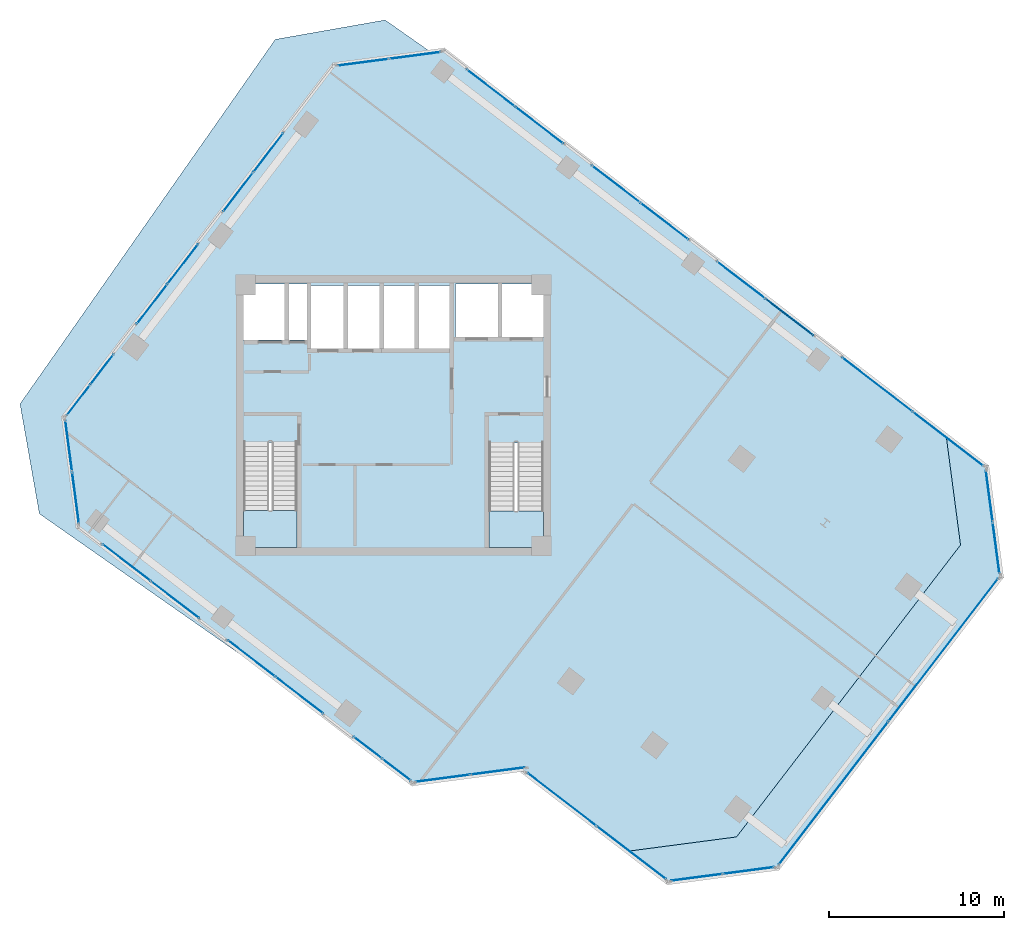
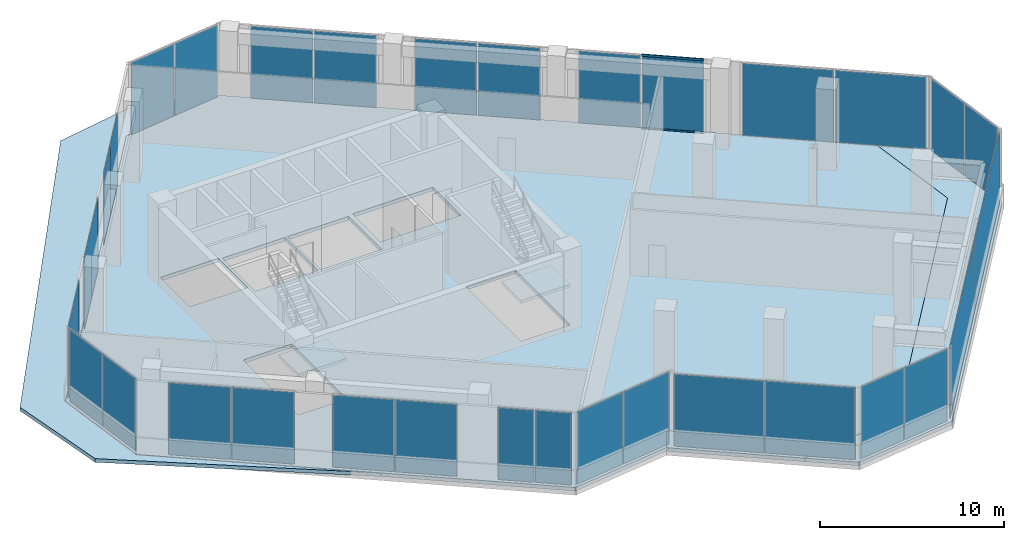
# One storey, part 17 of 23: 34 plates, 5 slabs, 2 members, 19 elements without a shape of their own.
"""IFC4 building model written with IfcOpenShell, lengths in metres."""

import ifcopenshell
import ifcopenshell.guid

model = None  # the IFC model being written
_history = None  # IfcOwnerHistory: only IFC2X3 demands one
_inside = {}  # id of a spatial element -> (the spatial element, [elements in it])
_under = {}  # id of a project, library or spatial element -> (it, [spatial elements below it])
_declared = {}  # id of a project -> (the project, [libraries it declares])
_typed = {}  # id of a type object -> (the type object, [elements of that type])
_made_of = {}  # id of a material, layer set ... -> (it, [elements and type objects made of it])


def new_model(schema):
    """Start an empty IFC model of exactly this schema.

    Asked for "IFC4X3", IfcOpenShell would pick the latest addendum, in which some entities
    have other attributes; the version numbers below select the first issue.
    IFC2X3 requires an IfcOwnerHistory on every rooted entity: one is made here for all.
    """
    global model, _history
    if schema == "IFC4X3":
        model = ifcopenshell.file(schema_version=(4, 3, 0, 0))
    else:
        model = ifcopenshell.file(schema=schema)
    _inside.clear()
    _under.clear()
    _declared.clear()
    _typed.clear()
    _made_of.clear()
    _history = None
    if model.schema == "IFC2X3":
        org = make("IfcOrganization", Name="unknown")
        user = make(
            "IfcPersonAndOrganization",
            ThePerson=make("IfcPerson", FamilyName="unknown"),
            TheOrganization=org,
        )
        app = make(
            "IfcApplication",
            ApplicationDeveloper=org,
            Version="unknown",
            ApplicationFullName="unknown",
            ApplicationIdentifier="unknown",
        )
        _history = make(
            "IfcOwnerHistory",
            OwningUser=user,
            OwningApplication=app,
            ChangeAction="ADDED",
            CreationDate=0,
        )
    return model


def make(cls, **values):
    """One entity of the class cls with the attributes given. An attribute that is None is left unset."""
    return model.create_entity(
        cls, **{name: value for name, value in values.items() if value is not None}
    )


def rooted(cls, **values):
    """An entity with a GlobalId (a new one), such as an element, a storey or a relation."""
    return make(cls, GlobalId=ifcopenshell.guid.new(), OwnerHistory=_history, **values)


def si_unit(unit_type, name, prefix=None):
    """IfcSIUnit, for example si_unit("LENGTHUNIT", "METRE", prefix="MILLI")."""
    return make("IfcSIUnit", UnitType=unit_type, Prefix=prefix, Name=name)


def assignment(units):
    """IfcUnitAssignment: the units of a project."""
    return None if units is None else make("IfcUnitAssignment", Units=units)


def point(xyz):
    """IfcCartesianPoint."""
    return None if xyz is None else make("IfcCartesianPoint", Coordinates=xyz)


def direction(xyz):
    """IfcDirection."""
    return None if xyz is None else make("IfcDirection", DirectionRatios=xyz)


def frame(location, z_axis=None, x_axis=None):
    """IfcAxis2Placement3D, a coordinate frame: its origin and axes. An axis left out is left unset."""
    return make(
        "IfcAxis2Placement3D",
        Location=point(location),
        Axis=direction(z_axis),
        RefDirection=direction(x_axis),
    )


def frame_2d(location, x_axis=None):
    """IfcAxis2Placement2D, a coordinate frame in the plane: its origin and x axis."""
    return make(
        "IfcAxis2Placement2D", Location=point(location), RefDirection=direction(x_axis)
    )


def origin():
    """The frame at (0, 0, 0) with its axes left unset."""
    return frame((0.0, 0.0, 0.0))


def origin_2d():
    """The frame at (0, 0) in the plane with its x axis left unset."""
    return frame_2d((0.0, 0.0))


def place(relative_to, where):
    """IfcLocalPlacement: puts the frame where relative to a parent placement (None: the world)."""
    return make(
        "IfcLocalPlacement", PlacementRelTo=relative_to, RelativePlacement=where
    )


def context(
    kind, dimensions, precision=None, world=None, true_north=None, identifier=None
):
    """IfcGeometricRepresentationContext, for example the 3D "Model" context."""
    return make(
        "IfcGeometricRepresentationContext",
        ContextIdentifier=identifier,
        ContextType=kind,
        CoordinateSpaceDimension=dimensions,
        Precision=precision,
        WorldCoordinateSystem=world,
        TrueNorth=true_north,
    )


def subcontext(parent, identifier, kind, view, scale=None):
    """IfcGeometricRepresentationSubContext, for example "Body" below "Model"."""
    return make(
        "IfcGeometricRepresentationSubContext",
        ContextIdentifier=identifier,
        ContextType=kind,
        ParentContext=parent,
        TargetScale=scale,
        TargetView=view,
    )


def project(units=None, contexts=None):
    """IfcProject with its units and contexts."""
    return rooted(
        "IfcProject",
        Name="project",
        RepresentationContexts=contexts,
        UnitsInContext=assignment(units),
    )


def spatial(cls, under=None, at=None, **own):
    """A site, building, storey or space (cls), placed at a placement, below another one or the project."""
    s = rooted(cls, ObjectPlacement=at, **own)
    if under is not None:
        _under.setdefault(under.id(), (under, []))[1].append(s)
    return s


def polyline(points):
    """IfcPolyline through the points."""
    return make("IfcPolyline", Points=[point(p) for p in points])


def profile(cls, at=None, kind="AREA", **sizes):
    """A parametric profile (cls). Its sizes go by their IFC names, for example OverallWidth=200.0."""
    return make(cls, ProfileType=kind, Position=at, **sizes)


def rectangle(**sizes):
    """IfcRectangleProfileDef."""
    return profile("IfcRectangleProfileDef", **sizes)


def hollow_rectangle(**sizes):
    """IfcRectangleHollowProfileDef."""
    return profile("IfcRectangleHollowProfileDef", **sizes)


def outline(outer, holes=None, kind="AREA"):
    """IfcArbitraryClosedProfileDef: a profile drawn as a closed curve; with holes, ...WithVoids."""
    if holes is None:
        return make("IfcArbitraryClosedProfileDef", ProfileType=kind, OuterCurve=outer)
    return make(
        "IfcArbitraryProfileDefWithVoids",
        ProfileType=kind,
        OuterCurve=outer,
        InnerCurves=holes,
    )


def extrude(swept, where, along, depth):
    """IfcExtrudedAreaSolid: the profile swept, set in the frame where, extruded along a direction by depth."""
    return make(
        "IfcExtrudedAreaSolid",
        SweptArea=swept,
        Position=where,
        ExtrudedDirection=direction(along),
        Depth=depth,
    )


def shape(context_of_items, identifier, shape_type, items):
    """IfcShapeRepresentation: the items that make up one representation, for example the "Body"."""
    return make(
        "IfcShapeRepresentation",
        ContextOfItems=context_of_items,
        RepresentationIdentifier=identifier,
        RepresentationType=shape_type,
        Items=items,
    )


def source(mapping_origin, context_of_items, identifier, shape_type, items):
    """IfcRepresentationMap: a shape defined once, which mapped items show again and again."""
    return make(
        "IfcRepresentationMap",
        MappingOrigin=mapping_origin,
        MappedRepresentation=shape(context_of_items, identifier, shape_type, items),
    )


def transform(
    local_origin,
    x_axis=None,
    y_axis=None,
    z_axis=None,
    scale=None,
    scale2=None,
    scale3=None,
    uniform=True,
):
    """IfcCartesianTransformationOperator3D, or its non-uniform kind. x_axis, y_axis, z_axis: its Axis1, 2, 3."""
    if uniform:
        return make(
            "IfcCartesianTransformationOperator3D",
            Axis1=direction(x_axis),
            Axis2=direction(y_axis),
            LocalOrigin=point(local_origin),
            Scale=scale,
            Axis3=direction(z_axis),
        )
    return make(
        "IfcCartesianTransformationOperator3DnonUniform",
        Axis1=direction(x_axis),
        Axis2=direction(y_axis),
        LocalOrigin=point(local_origin),
        Scale=scale,
        Axis3=direction(z_axis),
        Scale2=scale2,
        Scale3=scale3,
    )


def mapped(mapping_source, mapping_target):
    """IfcMappedItem: shows the shape of a source again, moved by a transform."""
    return make(
        "IfcMappedItem", MappingSource=mapping_source, MappingTarget=mapping_target
    )


def material(Name=None, Category=None):
    """IfcMaterial."""
    return make("IfcMaterial", Name=Name, Category=Category)


def layer(
    of_material, thickness, ventilated=None, Name=None, Category=None, Priority=None
):
    """IfcMaterialLayer: one layer of a wall or slab, of a material (None: an air gap)."""
    return make(
        "IfcMaterialLayer",
        Material=of_material,
        LayerThickness=thickness,
        IsVentilated=ventilated,
        Name=Name,
        Category=Category,
        Priority=Priority,
    )


def layer_set(layers, Name=None):
    """IfcMaterialLayerSet."""
    return make("IfcMaterialLayerSet", MaterialLayers=layers, LayerSetName=Name)


def material_profile(
    of_material, cross_section, Name=None, Category=None, Priority=None
):
    """IfcMaterialProfile: a cross section and its material."""
    return make(
        "IfcMaterialProfile",
        Name=Name,
        Material=of_material,
        Profile=cross_section,
        Priority=Priority,
        Category=Category,
    )


def profile_set(profiles, Name=None, composite=None):
    """IfcMaterialProfileSet."""
    return make(
        "IfcMaterialProfileSet",
        Name=Name,
        MaterialProfiles=profiles,
        CompositeProfile=composite,
    )


def made_of(thing, what):
    """Note that an element or type object is made of a material, layer set ...; save() writes the relation."""
    if what is not None:
        _made_of.setdefault(what.id(), (what, []))[1].append(thing)
    return thing


def type_object(cls, material=None, **own):
    """A type object (cls), such as IfcWallType, which elements share."""
    return made_of(rooted(cls, **own), material)


def element(
    cls,
    number,
    at=None,
    inside=None,
    cuts=None,
    type_object=None,
    material=None,
    context=None,
    identifier="Body",
    shape_type=None,
    held_by="IfcProductDefinitionShape",
    body=None,
    shapes=None,
    **own,
):
    """One element of the class cls, such as IfcWall. Its Tag is "e" and its number.

    at: its placement. inside: the storey or other place that contains it. cuts: it is an
    opening in that element (IfcRelVoidsElement). A single representation is given by context,
    identifier, shape_type and body (its items); several are given by shapes. held_by: the class
    of the entity that holds the representations. save() writes the other relations.
    """
    e = rooted(cls, Tag="e%d" % number, ObjectPlacement=at, **own)
    if body is not None:
        shapes = [shape(context, identifier, shape_type, body)]
    if shapes is not None:
        e.Representation = make(held_by, Representations=shapes)
    if inside is not None:
        _inside.setdefault(inside.id(), (inside, []))[1].append(e)
    if cuts is not None:
        rooted(
            "IfcRelVoidsElement", RelatingBuildingElement=cuts, RelatedOpeningElement=e
        )
    if type_object is not None:
        _typed.setdefault(type_object.id(), (type_object, []))[1].append(e)
    return made_of(e, material)


def aggregate(whole, parts):
    """IfcRelAggregates: a whole, such as a stair, and the parts it consists of."""
    return rooted("IfcRelAggregates", RelatingObject=whole, RelatedObjects=parts)


def save(model, path):
    """Write the relations noted so far, then the file.

    IfcRelAggregates (storeys below a building ...), IfcRelContainedInSpatialStructure (elements
    in a storey), IfcRelDefinesByType, IfcRelAssociatesMaterial and IfcRelDeclares: one each for
    every whole, place, type object, material and project.
    """
    for whole, parts in _under.values():
        aggregate(whole, parts)
    for where, things in _inside.values():
        rooted(
            "IfcRelContainedInSpatialStructure",
            RelatedElements=things,
            RelatingStructure=where,
        )
    for kind, things in _typed.values():
        rooted("IfcRelDefinesByType", RelatedObjects=things, RelatingType=kind)
    for what, things in _made_of.values():
        rooted("IfcRelAssociatesMaterial", RelatedObjects=things, RelatingMaterial=what)
    for by, libraries in _declared.values():
        rooted("IfcRelDeclares", RelatingContext=by, RelatedDefinitions=libraries)
    model.write(path)


model = new_model("IFC4")

# Units and contexts
model_context = context("Model", 3, precision=1e-05, world=origin(), true_north=direction((0.0, 1.0)))
body_context = subcontext(model_context, "Body", "Model", "MODEL_VIEW")
ifc_project = project(units=[si_unit("LENGTHUNIT", "METRE"), si_unit("AREAUNIT", "SQUARE_METRE"), si_unit("VOLUMEUNIT", "CUBIC_METRE"), si_unit("PLANEANGLEUNIT", "RADIAN"), si_unit("MASSUNIT", "GRAM", prefix="KILO")], contexts=[model_context])

# Site, building, storey
site_placement = place(None, origin())
site = spatial("IfcSite", under=ifc_project, at=site_placement, CompositionType="ELEMENT")
building_placement = place(site_placement, origin())
building = spatial("IfcBuilding", under=site, at=building_placement, Name="Torre Montelarca", CompositionType="ELEMENT")
storey_placement = place(building_placement, frame((0.0, 0.0, 204.39990234375)))
storey = spatial("IfcBuildingStorey", under=building, at=storey_placement, Name="L46", CompositionType="ELEMENT", Elevation=204.39990234375)

# Curtain wall, members
ifc_material_1 = material(Name="Insulated low-E laminated glass", Category="glass")
curtain_wall_type = type_object("IfcCurtainWallType", Name="CW-SYS-Z2", PredefinedType="USERDEFINED", material=ifc_material_1)
curtain_wall_1_placement = place(storey_placement, origin())
curtain_wall_1 = element("IfcCurtainWall", 1, at=curtain_wall_1_placement, inside=storey, type_object=curtain_wall_type, Name="L46 Curtain Wall Run CW-T3-L46-E08-B2", ObjectType="UNITISED GLAZING", PredefinedType="USERDEFINED")
ifc_material_2 = material(Name="Anodised aluminium AA 6063-T6", Category="aluminium")
ifc_material_profile = material_profile(ifc_material_2, hollow_rectangle(XDim=0.06494140625, YDim=0.139892578125, WallThickness=0.00390625, InnerFilletRadius=0.00390625, OuterFilletRadius=0.008056640625, at=origin_2d()), Name="ALU65X140X4", Category="aluminium")
ifc_profile_set = profile_set([ifc_material_profile], Name="Anodised aluminium AA 6063-T6")
member_type = type_object("IfcMemberType", Name="CWT-ALU140", PredefinedType="USERDEFINED", material=ifc_profile_set)
shared_shape_1 = source(origin(), body_context, "Body", "SweptSolid", [
    extrude(hollow_rectangle(XDim=0.06494140625, YDim=0.139892578125, WallThickness=0.00390625, InnerFilletRadius=0.00390625, OuterFilletRadius=0.008056640625, at=origin_2d()), origin(), (0.0, 0.0, 1.0), 3.42236328125),
])
member_1_placement = place(storey_placement, frame((41.957275390625, 36.558349609375, 0.03271484375), z_axis=(-0.793334164547, 0.60878641851, 0.0), x_axis=(-0.60878641851, -0.793334164547, 0.0)))
member_1 = element("IfcMember", 2, at=member_1_placement, type_object=member_type, Name="CW transom 1.1", ObjectType="TRANSOM", PredefinedType="USERDEFINED", context=body_context, shape_type="MappedRepresentation", body=[
    mapped(shared_shape_1, transform((0.0, 0.0, 0.0), scale=1.0)),
])
member_2_placement = place(storey_placement, frame((41.957275390625, 36.558349609375, 4.8876953125), z_axis=(-0.793334164547, 0.60878641851, 0.0), x_axis=(-0.60878641851, -0.793334164547, 0.0)))
member_2 = element("IfcMember", 3, at=member_2_placement, type_object=member_type, Name="CW transom 1.2", ObjectType="TRANSOM", PredefinedType="USERDEFINED", context=body_context, shape_type="MappedRepresentation", body=[
    mapped(shared_shape_1, transform((0.0, 0.0, 0.0), scale=1.0)),
])

# Slabs
ifc_material_3 = material(Name="Concrete C40/50", Category="concrete")
ifc_layer_1 = layer(ifc_material_3, 0.239990234375, Name="Concrete C40/50", Category="concrete")
ifc_layer_set_1 = layer_set([ifc_layer_1], Name="Concrete C40/50")
slab_type_1 = type_object("IfcSlabType", Name="SL-FLR-240", PredefinedType="FLOOR", material=ifc_layer_set_1)
slab_1_placement = place(storey_placement, frame((0.0, 0.0, -0.239990234375)))
element("IfcSlab", 4, at=slab_1_placement, inside=storey, type_object=slab_type_1, Name="L46 Structural Floor Slab", PredefinedType="FLOOR", context=body_context, shape_type="SweptSolid", body=[
    extrude(outline(polyline([(19.068115234375, 10.925537109375), (25.377685546875, 11.756103515625), (25.316650390625, 11.6767578125), (31.266845703125, 7.111083984375), (37.576416015625, 7.94189453125), (50.3603515625, 24.602294921875), (49.52978515625, 30.91162109375), (20.8896484375, 52.887939453125), (14.580078125, 52.057373046875), (-0.88232421875, 31.906005859375), (-0.0517578125, 25.5966796875), (19.068115234375, 10.925537109375)]), holes=[polyline([(26.550048828125, 24.449951171875), (23.43994140625, 24.449951171875), (23.43994140625, 30.429931640625), (26.550048828125, 30.429931640625), (26.550048828125, 24.449951171875)]), polyline([(9.449951171875, 24.449951171875), (9.449951171875, 30.4599609375), (12.5, 30.4599609375), (12.5, 24.449951171875), (9.449951171875, 24.449951171875)]), polyline([(17.25, 35.800048828125), (13.300048828125, 35.800048828125), (13.300048828125, 39.39990234375), (17.25, 39.39990234375), (17.25, 35.800048828125)]), polyline([(21.25, 39.39990234375), (21.25, 35.800048828125), (17.39990234375, 35.800048828125), (17.39990234375, 39.39990234375), (21.25, 39.39990234375)]), polyline([(13.1201171875, 36.300048828125), (9.449951171875, 36.300048828125), (9.449951171875, 39.5), (13.1201171875, 39.5), (13.1201171875, 36.300048828125)]), polyline([(26.60009765625, 36.449951171875), (21.550048828125, 36.449951171875), (21.550048828125, 39.5), (26.60009765625, 39.5), (26.60009765625, 36.449951171875)])]), origin(), (0.0, 0.0, 1.0), 0.239990234375),
])
slab_2_placement = place(storey_placement, frame((0.0, 0.0, -0.239990234375)))
element("IfcSlab", 5, at=slab_2_placement, inside=storey, type_object=slab_type_1, Name="L46 Sliding Tray Winter Garden Floor Slab E1", PredefinedType="FLOOR", context=body_context, shape_type="SweptSolid", body=[
    extrude(outline(polyline([(49.52978515625, 30.91162109375), (50.3603515625, 24.602294921875), (37.576416015625, 7.94189453125), (31.266845703125, 7.111083984375), (33.64697265625, 5.284912109375), (39.95654296875, 6.115478515625), (52.740478515625, 22.77587890625), (51.909912109375, 29.08544921875), (49.52978515625, 30.91162109375)])), origin(), (0.0, 0.0, 1.0), 0.239990234375),
])
ifc_material_4 = material(Name="Architectural concrete C40/50", Category="concrete")
ifc_layer_2 = layer(ifc_material_4, 0.239990234375, Name="Architectural concrete C40/50", Category="concrete")
ifc_layer_set_2 = layer_set([ifc_layer_2], Name="Architectural concrete C40/50")
slab_type_2 = type_object("IfcSlabType", Name="SL-ROOF-EXT-240", PredefinedType="ROOF", material=ifc_layer_set_2)
slab_3_placement = place(storey_placement, frame((0.0, 0.0, -0.239990234375)))
element("IfcSlab", 6, at=slab_3_placement, inside=storey, type_object=slab_type_2, Name="L45 Setback and Tray Overhang Roof Cap Slab 01", PredefinedType="ROOF", context=body_context, shape_type="SweptSolid", body=[
    extrude(outline(polyline([(-0.05908203125, 25.59228515625), (-0.890869140625, 31.908203125), (14.575927734375, 52.064697265625), (20.0576171875, 52.78662109375), (17.521728515625, 54.562255859375), (11.25439453125, 53.45703125), (-3.314453125, 32.650634765625), (-2.20947265625, 26.38330078125), (10.5859375, 17.424072265625), (-0.05908203125, 25.59228515625)])), origin(), (0.0, 0.0, 1.0), 0.239990234375),
])

# Stair, slab
stair_type_1 = type_object("IfcStairType", Name="ST-CORE-ST1", PredefinedType="HALF_TURN_STAIR", material=ifc_material_3)
stair_1_placement = place(storey_placement, origin())
stair_1 = element("IfcStair", 7, at=stair_1_placement, inside=storey, type_object=stair_type_1, Name="L46 Protected Exit Stair ST1", PredefinedType="HALF_TURN_STAIR")
ifc_layer_3 = layer(ifc_material_3, 0.199951171875, Name="Concrete C40/50", Category="concrete")
ifc_layer_set_3 = layer_set([ifc_layer_3], Name="Concrete C40/50")
slab_type_3 = type_object("IfcSlabType", Name="SL-ST-LAND-ST1", PredefinedType="LANDING", material=ifc_layer_set_3)
slab_4_placement = place(storey_placement, frame((0.0, 0.0, 2.5)))
slab_4 = element("IfcSlab", 8, at=slab_4_placement, type_object=slab_type_3, Name="ST1 landing 1", PredefinedType="LANDING", context=body_context, shape_type="SweptSolid", body=[
    extrude(outline(polyline([(9.449951171875, 26.580078125), (9.449951171875, 24.449951171875), (12.5, 24.449951171875), (12.5, 26.580078125), (9.449951171875, 26.580078125)])), origin(), (0.0, 0.0, 1.0), 0.2001953125),
])
aggregate(stair_1, [slab_4])

stair_type_2 = type_object("IfcStairType", Name="ST-CORE-ST2", PredefinedType="HALF_TURN_STAIR", material=ifc_material_3)
stair_2_placement = place(storey_placement, origin())
stair_2 = element("IfcStair", 9, at=stair_2_placement, inside=storey, type_object=stair_type_2, Name="L46 Protected Exit Stair ST2", PredefinedType="HALF_TURN_STAIR")
ifc_layer_4 = layer(ifc_material_3, 0.199951171875, Name="Concrete C40/50", Category="concrete")
ifc_layer_set_4 = layer_set([ifc_layer_4], Name="Concrete C40/50")
slab_type_4 = type_object("IfcSlabType", Name="SL-ST-LAND-ST2", PredefinedType="LANDING", material=ifc_layer_set_4)
slab_5_placement = place(storey_placement, frame((0.0, 0.0, 2.5)))
slab_5 = element("IfcSlab", 10, at=slab_5_placement, type_object=slab_type_4, Name="ST2 landing 1", PredefinedType="LANDING", context=body_context, shape_type="SweptSolid", body=[
    extrude(outline(polyline([(23.43994140625, 26.550048828125), (23.43994140625, 24.449951171875), (26.550048828125, 24.449951171875), (26.550048828125, 26.550048828125), (23.43994140625, 26.550048828125)])), origin(), (0.0, 0.0, 1.0), 0.2001953125),
])
aggregate(stair_2, [slab_5])

# Curtain wall, plates
curtain_wall_2_placement = place(storey_placement, origin())
curtain_wall_2 = element("IfcCurtainWall", 11, at=curtain_wall_2_placement, inside=storey, type_object=curtain_wall_type, Name="L46 Curtain Wall Run CW-T3-L46-E05-B1", ObjectType="UNITISED GLAZING", PredefinedType="USERDEFINED")
ifc_layer_5 = layer(ifc_material_1, 0.031982421875, Name="Insulated low-E laminated glass", Category="glass")
ifc_layer_set_5 = layer_set([ifc_layer_5], Name="Insulated low-E laminated glass")
plate_type = type_object("IfcPlateType", Name="CWP-GLZ-32", PredefinedType="CURTAIN_PANEL", material=ifc_layer_set_5)
shared_shape_2 = source(origin(), body_context, "Body", "SweptSolid", [
    extrude(rectangle(XDim=2.918701171875, YDim=0.031982421875, at=origin_2d()), origin(), (0.0, 0.0, 1.0), 4.7900390625),
])
plate_1_placement = place(storey_placement, frame((35.3056640625, 5.63427734375, 0.065185546875), z_axis=(0.0, 0.0, 1.0), x_axis=(0.991446733158, 0.130511973823, 0.0)))
plate_1 = element("IfcPlate", 12, at=plate_1_placement, type_object=plate_type, Name="CW panel 1.1", PredefinedType="CURTAIN_PANEL", context=body_context, shape_type="MappedRepresentation", body=[
    mapped(shared_shape_2, transform((0.0, 0.0, 0.0), scale=1.0)),
])
plate_2_placement = place(storey_placement, frame((38.263671875, 6.023681640625, 0.065185546875), z_axis=(0.0, 0.0, 1.0), x_axis=(0.991446733158, 0.130511973823, 0.0)))
plate_2 = element("IfcPlate", 13, at=plate_2_placement, type_object=plate_type, Name="CW panel 2.1", PredefinedType="CURTAIN_PANEL", context=body_context, shape_type="MappedRepresentation", body=[
    mapped(shared_shape_2, transform((0.0, 0.0, 0.0), scale=1.0)),
])
aggregate(curtain_wall_2, [plate_1, plate_2])

curtain_wall_3_placement = place(storey_placement, origin())
curtain_wall_3 = element("IfcCurtainWall", 14, at=curtain_wall_3_placement, inside=storey, type_object=curtain_wall_type, Name="L46 Curtain Wall Run CW-T3-L46-E07-B1", ObjectType="UNITISED GLAZING", PredefinedType="USERDEFINED")
plate_3_placement = place(storey_placement, frame((52.390869140625, 24.4345703125, 0.065185546875), z_axis=(0.0, 0.0, 1.0), x_axis=(-0.130514118862, 0.991446450787, 0.0)))
plate_3 = element("IfcPlate", 15, at=plate_3_placement, type_object=plate_type, Name="CW panel 1.1", PredefinedType="CURTAIN_PANEL", context=body_context, shape_type="MappedRepresentation", body=[
    mapped(shared_shape_2, transform((0.0, 0.0, 0.0), scale=1.0)),
])
plate_4_placement = place(storey_placement, frame((52.00146484375, 27.392822265625, 0.065185546875), z_axis=(0.0, 0.0, 1.0), x_axis=(-0.130514118862, 0.991446450787, 0.0)))
plate_4 = element("IfcPlate", 16, at=plate_4_placement, type_object=plate_type, Name="CW panel 2.1", PredefinedType="CURTAIN_PANEL", context=body_context, shape_type="MappedRepresentation", body=[
    mapped(shared_shape_2, transform((0.0, 0.0, 0.0), scale=1.0)),
])
aggregate(curtain_wall_3, [plate_3, plate_4])

curtain_wall_4_placement = place(storey_placement, origin())
curtain_wall_4 = element("IfcCurtainWall", 17, at=curtain_wall_4_placement, inside=storey, type_object=curtain_wall_type, Name="L46 Curtain Wall Run CW-T3-L46-E09-B1", ObjectType="UNITISED GLAZING", PredefinedType="USERDEFINED")
plate_5_placement = place(storey_placement, frame((19.23095703125, 52.53857421875, 0.065185546875), z_axis=(0.0, 0.0, 1.0), x_axis=(-0.991446450787, -0.130514118862, 0.0)))
plate_5 = element("IfcPlate", 18, at=plate_5_placement, type_object=plate_type, Name="CW panel 1.1", PredefinedType="CURTAIN_PANEL", context=body_context, shape_type="MappedRepresentation", body=[
    mapped(shared_shape_2, transform((0.0, 0.0, 0.0), scale=1.0)),
])
plate_6_placement = place(storey_placement, frame((16.27294921875, 52.14892578125, 0.065185546875), z_axis=(0.0, 0.0, 1.0), x_axis=(-0.991446450787, -0.130514118862, 0.0)))
plate_6 = element("IfcPlate", 19, at=plate_6_placement, type_object=plate_type, Name="CW panel 2.1", PredefinedType="CURTAIN_PANEL", context=body_context, shape_type="MappedRepresentation", body=[
    mapped(shared_shape_2, transform((0.0, 0.0, 0.0), scale=1.0)),
])
aggregate(curtain_wall_4, [plate_5, plate_6])

curtain_wall_5_placement = place(storey_placement, origin())
curtain_wall_5 = element("IfcCurtainWall", 20, at=curtain_wall_5_placement, inside=storey, type_object=curtain_wall_type, Name="L46 Curtain Wall Run CW-T3-L46-E11-B1", ObjectType="UNITISED GLAZING", PredefinedType="USERDEFINED")
plate_7_placement = place(storey_placement, frame((-0.532958984375, 30.247314453125, 0.065185546875), z_axis=(0.0, 0.0, 1.0), x_axis=(0.130514118862, -0.991446450787, 0.0)))
plate_7 = element("IfcPlate", 21, at=plate_7_placement, type_object=plate_type, Name="CW panel 1.1", PredefinedType="CURTAIN_PANEL", context=body_context, shape_type="MappedRepresentation", body=[
    mapped(shared_shape_2, transform((0.0, 0.0, 0.0), scale=1.0)),
])
plate_8_placement = place(storey_placement, frame((-0.1435546875, 27.289306640625, 0.065185546875), z_axis=(0.0, 0.0, 1.0), x_axis=(0.130514118862, -0.991446450787, 0.0)))
plate_8 = element("IfcPlate", 22, at=plate_8_placement, type_object=plate_type, Name="CW panel 2.1", PredefinedType="CURTAIN_PANEL", context=body_context, shape_type="MappedRepresentation", body=[
    mapped(shared_shape_2, transform((0.0, 0.0, 0.0), scale=1.0)),
])
aggregate(curtain_wall_5, [plate_7, plate_8])

curtain_wall_6_placement = place(storey_placement, origin())
curtain_wall_6 = element("IfcCurtainWall", 23, at=curtain_wall_6_placement, inside=storey, type_object=curtain_wall_type, Name="L46 Curtain Wall Run CW-T3-L46-E10-B2", ObjectType="UNITISED GLAZING", PredefinedType="USERDEFINED")
shared_shape_3 = source(origin(), body_context, "Body", "SweptSolid", [
    extrude(rectangle(XDim=2.81005859375, YDim=0.031982421875, at=origin_2d()), origin(), (0.0, 0.0, 1.0), 4.7900390625),
])
plate_9_placement = place(storey_placement, frame((5.97802734375, 40.63330078125, 0.065185546875), z_axis=(0.0, 0.0, 1.0), x_axis=(-0.608771214471, -0.793345831546, 0.0)))
plate_9 = element("IfcPlate", 24, at=plate_9_placement, type_object=plate_type, Name="CW panel 1.1", PredefinedType="CURTAIN_PANEL", context=body_context, shape_type="MappedRepresentation", body=[
    mapped(shared_shape_3, transform((0.0, 0.0, 0.0), scale=1.0)),
])
plate_10_placement = place(storey_placement, frame((4.227783203125, 38.352294921875, 0.065185546875), z_axis=(0.0, 0.0, 1.0), x_axis=(-0.608771214471, -0.793345831546, 0.0)))
plate_10 = element("IfcPlate", 25, at=plate_10_placement, type_object=plate_type, Name="CW panel 2.1", PredefinedType="CURTAIN_PANEL", context=body_context, shape_type="MappedRepresentation", body=[
    mapped(shared_shape_3, transform((0.0, 0.0, 0.0), scale=1.0)),
])
aggregate(curtain_wall_6, [plate_9, plate_10])

curtain_wall_7_placement = place(storey_placement, origin())
curtain_wall_7 = element("IfcCurtainWall", 26, at=curtain_wall_7_placement, inside=storey, type_object=curtain_wall_type, Name="L46 Curtain Wall Run CW-T3-L46-E01-B1", ObjectType="UNITISED GLAZING", PredefinedType="USERDEFINED")
shared_shape_4 = source(origin(), body_context, "Body", "SweptSolid", [
    extrude(rectangle(XDim=3.422607421875, YDim=0.031982421875, at=origin_2d()), origin(), (0.0, 0.0, 1.0), 4.7900390625),
])
plate_11_placement = place(storey_placement, frame((2.76953125, 23.595703125, 0.065185546875), z_axis=(0.0, 0.0, 1.0), x_axis=(0.793351604181, -0.608763691545, 0.0)))
plate_11 = element("IfcPlate", 27, at=plate_11_placement, type_object=plate_type, Name="CW panel 1.1", PredefinedType="CURTAIN_PANEL", context=body_context, shape_type="MappedRepresentation", body=[
    mapped(shared_shape_4, transform((0.0, 0.0, 0.0), scale=1.0)),
])
plate_12_placement = place(storey_placement, frame((5.536376953125, 21.47265625, 0.065185546875), z_axis=(0.0, 0.0, 1.0), x_axis=(0.793351604181, -0.608763691545, 0.0)))
plate_12 = element("IfcPlate", 28, at=plate_12_placement, type_object=plate_type, Name="CW panel 2.1", PredefinedType="CURTAIN_PANEL", context=body_context, shape_type="MappedRepresentation", body=[
    mapped(shared_shape_4, transform((0.0, 0.0, 0.0), scale=1.0)),
])
aggregate(curtain_wall_7, [plate_11, plate_12])

curtain_wall_8_placement = place(storey_placement, origin())
curtain_wall_8 = element("IfcCurtainWall", 29, at=curtain_wall_8_placement, inside=storey, type_object=curtain_wall_type, Name="L46 Curtain Wall Run CW-T3-L46-E08-B3", ObjectType="UNITISED GLAZING", PredefinedType="USERDEFINED")
plate_13_placement = place(storey_placement, frame((33.45947265625, 43.078857421875, 0.065185546875), z_axis=(0.0, 0.0, 1.0), x_axis=(-0.793356868199, 0.608756831323, 0.0)))
plate_13 = element("IfcPlate", 30, at=plate_13_placement, type_object=plate_type, Name="CW panel 1.1", PredefinedType="CURTAIN_PANEL", context=body_context, shape_type="MappedRepresentation", body=[
    mapped(shared_shape_4, transform((0.0, 0.0, 0.0), scale=1.0)),
])
plate_14_placement = place(storey_placement, frame((30.692626953125, 45.201904296875, 0.065185546875), z_axis=(0.0, 0.0, 1.0), x_axis=(-0.793356868199, 0.608756831323, 0.0)))
plate_14 = element("IfcPlate", 31, at=plate_14_placement, type_object=plate_type, Name="CW panel 2.1", PredefinedType="CURTAIN_PANEL", context=body_context, shape_type="MappedRepresentation", body=[
    mapped(shared_shape_4, transform((0.0, 0.0, 0.0), scale=1.0)),
])
aggregate(curtain_wall_8, [plate_13, plate_14])

curtain_wall_9_placement = place(storey_placement, origin())
curtain_wall_9 = element("IfcCurtainWall", 32, at=curtain_wall_9_placement, inside=storey, type_object=curtain_wall_type, Name="L46 Curtain Wall Run CW-T3-L46-E08-B4", ObjectType="UNITISED GLAZING", PredefinedType="USERDEFINED")
plate_15_placement = place(storey_placement, frame((26.3193359375, 48.557861328125, 0.065185546875), z_axis=(0.0, 0.0, 1.0), x_axis=(-0.793351604181, 0.608763691545, 0.0)))
plate_15 = element("IfcPlate", 33, at=plate_15_placement, type_object=plate_type, Name="CW panel 1.1", PredefinedType="CURTAIN_PANEL", context=body_context, shape_type="MappedRepresentation", body=[
    mapped(shared_shape_4, transform((0.0, 0.0, 0.0), scale=1.0)),
])
plate_16_placement = place(storey_placement, frame((23.552490234375, 50.680908203125, 0.065185546875), z_axis=(0.0, 0.0, 1.0), x_axis=(-0.793351604181, 0.608763691545, 0.0)))
plate_16 = element("IfcPlate", 34, at=plate_16_placement, type_object=plate_type, Name="CW panel 2.1", PredefinedType="CURTAIN_PANEL", context=body_context, shape_type="MappedRepresentation", body=[
    mapped(shared_shape_4, transform((0.0, 0.0, 0.0), scale=1.0)),
])
aggregate(curtain_wall_9, [plate_15, plate_16])

curtain_wall_10_placement = place(storey_placement, origin())
curtain_wall_10 = element("IfcCurtainWall", 35, at=curtain_wall_10_placement, inside=storey, type_object=curtain_wall_type, Name="L46 Curtain Wall Run CW-T3-L46-E01-B2", ObjectType="UNITISED GLAZING", PredefinedType="USERDEFINED")
shared_shape_5 = source(origin(), body_context, "Body", "SweptSolid", [
    extrude(rectangle(XDim=3.385009765625, YDim=0.031982421875, at=origin_2d()), origin(), (0.0, 0.0, 1.0), 4.7900390625),
])
plate_17_placement = place(storey_placement, frame((9.894775390625, 18.12841796875, 0.065185546875), z_axis=(0.0, 0.0, 1.0), x_axis=(0.793349318742, -0.608766669958, 0.0)))
plate_17 = element("IfcPlate", 36, at=plate_17_placement, type_object=plate_type, Name="CW panel 1.1", PredefinedType="CURTAIN_PANEL", context=body_context, shape_type="MappedRepresentation", body=[
    mapped(shared_shape_5, transform((0.0, 0.0, 0.0), scale=1.0)),
])
plate_18_placement = place(storey_placement, frame((12.6318359375, 16.028076171875, 0.065185546875), z_axis=(0.0, 0.0, 1.0), x_axis=(0.793349318742, -0.608766669958, 0.0)))
plate_18 = element("IfcPlate", 37, at=plate_18_placement, type_object=plate_type, Name="CW panel 2.1", PredefinedType="CURTAIN_PANEL", context=body_context, shape_type="MappedRepresentation", body=[
    mapped(shared_shape_5, transform((0.0, 0.0, 0.0), scale=1.0)),
])
aggregate(curtain_wall_10, [plate_17, plate_18])

curtain_wall_11_placement = place(storey_placement, origin())
curtain_wall_11 = element("IfcCurtainWall", 38, at=curtain_wall_11_placement, inside=storey, type_object=curtain_wall_type, Name="L46 Curtain Wall Run CW-T3-L46-E01-B3", ObjectType="UNITISED GLAZING", PredefinedType="USERDEFINED")
shared_shape_6 = source(origin(), body_context, "Body", "SweptSolid", [
    extrude(rectangle(XDim=1.9921875, YDim=0.031982421875, at=origin_2d()), origin(), (0.0, 0.0, 1.0), 4.7900390625),
])
plate_19_placement = place(storey_placement, frame((16.5419921875, 13.02783203125, 0.065185546875), z_axis=(0.0, 0.0, 1.0), x_axis=(0.793359044633, -0.608753994894, 0.0)))
plate_19 = element("IfcPlate", 39, at=plate_19_placement, type_object=plate_type, Name="CW panel 1.1", PredefinedType="CURTAIN_PANEL", context=body_context, shape_type="MappedRepresentation", body=[
    mapped(shared_shape_6, transform((0.0, 0.0, 0.0), scale=1.0)),
])
plate_20_placement = place(storey_placement, frame((18.173828125, 11.775634765625, 0.065185546875), z_axis=(0.0, 0.0, 1.0), x_axis=(0.793359044633, -0.608753994894, 0.0)))
plate_20 = element("IfcPlate", 40, at=plate_20_placement, type_object=plate_type, Name="CW panel 2.1", PredefinedType="CURTAIN_PANEL", context=body_context, shape_type="MappedRepresentation", body=[
    mapped(shared_shape_6, transform((0.0, 0.0, 0.0), scale=1.0)),
])
aggregate(curtain_wall_11, [plate_19, plate_20])

curtain_wall_12_placement = place(storey_placement, origin())
curtain_wall_12 = element("IfcCurtainWall", 41, at=curtain_wall_12_placement, inside=storey, type_object=curtain_wall_type, Name="L46 Curtain Wall Run CW-T3-L46-E02-B1", ObjectType="UNITISED GLAZING", PredefinedType="USERDEFINED")
shared_shape_7 = source(origin(), body_context, "Body", "SweptSolid", [
    extrude(rectangle(XDim=3.1025390625, YDim=0.031982421875, at=origin_2d()), origin(), (0.0, 0.0, 1.0), 4.7900390625),
])
plate_21_placement = place(storey_placement, frame((20.81787109375, 11.287109375, 0.065185546875), z_axis=(0.0, 0.0, 1.0), x_axis=(0.991448923469, 0.130495333836, 0.0)))
plate_21 = element("IfcPlate", 42, at=plate_21_placement, type_object=plate_type, Name="CW panel 1.1", PredefinedType="CURTAIN_PANEL", context=body_context, shape_type="MappedRepresentation", body=[
    mapped(shared_shape_7, transform((0.0, 0.0, 0.0), scale=1.0)),
])
plate_22_placement = place(storey_placement, frame((23.95849609375, 11.700439453125, 0.065185546875), z_axis=(0.0, 0.0, 1.0), x_axis=(0.991448923469, 0.130495333836, 0.0)))
plate_22 = element("IfcPlate", 43, at=plate_22_placement, type_object=plate_type, Name="CW panel 2.1", PredefinedType="CURTAIN_PANEL", context=body_context, shape_type="MappedRepresentation", body=[
    mapped(shared_shape_7, transform((0.0, 0.0, 0.0), scale=1.0)),
])
aggregate(curtain_wall_12, [plate_21, plate_22])

curtain_wall_13_placement = place(storey_placement, origin())
curtain_wall_13 = element("IfcCurtainWall", 44, at=curtain_wall_13_placement, inside=storey, type_object=curtain_wall_type, Name="L46 Curtain Wall Run CW-T3-L46-E04-B1", ObjectType="UNITISED GLAZING", PredefinedType="USERDEFINED")
shared_shape_8 = source(origin(), body_context, "Body", "SweptSolid", [
    extrude(rectangle(XDim=4.948486328125, YDim=0.031982421875, at=origin_2d()), origin(), (0.0, 0.0, 1.0), 4.7900390625),
])
plate_23_placement = place(storey_placement, frame((27.602294921875, 10.086669921875, 0.065185546875), z_axis=(0.0, 0.0, 1.0), x_axis=(0.793356067767, -0.608757874476, 0.0)))
plate_23 = element("IfcPlate", 45, at=plate_23_placement, type_object=plate_type, Name="CW panel 1.1", PredefinedType="CURTAIN_PANEL", context=body_context, shape_type="MappedRepresentation", body=[
    mapped(shared_shape_8, transform((0.0, 0.0, 0.0), scale=1.0)),
])
plate_24_placement = place(storey_placement, frame((31.579833984375, 7.03466796875, 0.065185546875), z_axis=(0.0, 0.0, 1.0), x_axis=(0.793356067767, -0.608757874476, 0.0)))
plate_24 = element("IfcPlate", 46, at=plate_24_placement, type_object=plate_type, Name="CW panel 2.1", PredefinedType="CURTAIN_PANEL", context=body_context, shape_type="MappedRepresentation", body=[
    mapped(shared_shape_8, transform((0.0, 0.0, 0.0), scale=1.0)),
])
aggregate(curtain_wall_13, [plate_23, plate_24])

curtain_wall_14_placement = place(storey_placement, origin())
curtain_wall_14 = element("IfcCurtainWall", 47, at=curtain_wall_14_placement, inside=storey, type_object=curtain_wall_type, Name="L46 Curtain Wall Run CW-T3-L46-E06-B1", ObjectType="UNITISED GLAZING", PredefinedType="USERDEFINED")
shared_shape_9 = source(origin(), body_context, "Body", "SweptSolid", [
    extrude(rectangle(XDim=10.236572265625, YDim=0.031982421875, at=origin_2d()), origin(), (0.0, 0.0, 1.0), 4.7900390625),
])
plate_25_placement = place(storey_placement, frame((43.109619140625, 10.4384765625, 0.065185546875), z_axis=(0.0, 0.0, 1.0), x_axis=(0.608761708572, 0.793353125775, 0.0)))
plate_25 = element("IfcPlate", 48, at=plate_25_placement, type_object=plate_type, Name="CW panel 1.1", PredefinedType="CURTAIN_PANEL", context=body_context, shape_type="MappedRepresentation", body=[
    mapped(shared_shape_9, transform((0.0, 0.0, 0.0), scale=1.0)),
])
plate_26_placement = place(storey_placement, frame((49.381103515625, 18.611328125, 0.065185546875), z_axis=(0.0, 0.0, 1.0), x_axis=(0.608761708572, 0.793353125775, 0.0)))
plate_26 = element("IfcPlate", 49, at=plate_26_placement, type_object=plate_type, Name="CW panel 2.1", PredefinedType="CURTAIN_PANEL", context=body_context, shape_type="MappedRepresentation", body=[
    mapped(shared_shape_9, transform((0.0, 0.0, 0.0), scale=1.0)),
])
aggregate(curtain_wall_14, [plate_25, plate_26])

curtain_wall_15_placement = place(storey_placement, origin())
curtain_wall_15 = element("IfcCurtainWall", 50, at=curtain_wall_15_placement, inside=storey, type_object=curtain_wall_type, Name="L46 Curtain Wall Run CW-T3-L46-E08-B1", ObjectType="UNITISED GLAZING", PredefinedType="USERDEFINED")
shared_shape_10 = source(origin(), body_context, "Body", "SweptSolid", [
    extrude(rectangle(XDim=5.029541015625, YDim=0.031982421875, at=origin_2d()), origin(), (0.0, 0.0, 1.0), 4.7900390625),
])
plate_27_placement = place(storey_placement, frame((49.65234375, 30.653564453125, 0.065185546875), z_axis=(0.0, 0.0, 1.0), x_axis=(-0.793356096178, 0.60875783745, 0.0)))
plate_27 = element("IfcPlate", 51, at=plate_27_placement, type_object=plate_type, Name="CW panel 1.1", PredefinedType="CURTAIN_PANEL", context=body_context, shape_type="MappedRepresentation", body=[
    mapped(shared_shape_10, transform((0.0, 0.0, 0.0), scale=1.0)),
])
plate_28_placement = place(storey_placement, frame((45.610595703125, 33.755126953125, 0.065185546875), z_axis=(0.0, 0.0, 1.0), x_axis=(-0.793356096178, 0.60875783745, 0.0)))
plate_28 = element("IfcPlate", 52, at=plate_28_placement, type_object=plate_type, Name="CW panel 2.1", PredefinedType="CURTAIN_PANEL", context=body_context, shape_type="MappedRepresentation", body=[
    mapped(shared_shape_10, transform((0.0, 0.0, 0.0), scale=1.0)),
])
aggregate(curtain_wall_15, [plate_27, plate_28])

# Plate
shared_shape_11 = source(origin(), body_context, "Body", "SweptSolid", [
    extrude(rectangle(XDim=3.42236328125, YDim=0.031982421875, at=origin_2d()), origin(), (0.0, 0.0, 1.0), 4.7900390625),
])
plate_29_placement = place(storey_placement, frame((40.599853515625, 37.60009765625, 0.065185546875), z_axis=(0.0, 0.0, 1.0), x_axis=(-0.793346339987, 0.608770551875, 0.0)))
plate_29 = element("IfcPlate", 53, at=plate_29_placement, type_object=plate_type, Name="CW panel 1.1", PredefinedType="CURTAIN_PANEL", context=body_context, shape_type="MappedRepresentation", body=[
    mapped(shared_shape_11, transform((0.0, 0.0, 0.0), scale=1.0)),
])

plate_30_placement = place(storey_placement, frame((37.8330078125, 39.72314453125, 0.065185546875), z_axis=(0.0, 0.0, 1.0), x_axis=(-0.793346339987, 0.608770551875, 0.0)))
plate_30 = element("IfcPlate", 54, at=plate_30_placement, type_object=plate_type, Name="CW panel 2.1", PredefinedType="CURTAIN_PANEL", context=body_context, shape_type="MappedRepresentation", body=[
    mapped(shared_shape_11, transform((0.0, 0.0, 0.0), scale=1.0)),
])

aggregate(curtain_wall_1, [member_1, member_2, plate_29, plate_30])

# Curtain wall, plates
curtain_wall_16_placement = place(storey_placement, origin())
curtain_wall_16 = element("IfcCurtainWall", 55, at=curtain_wall_16_placement, inside=storey, type_object=curtain_wall_type, Name="L46 Curtain Wall Run CW-T3-L46-E10-B1", ObjectType="UNITISED GLAZING", PredefinedType="USERDEFINED")
shared_shape_12 = source(origin(), body_context, "Body", "SweptSolid", [
    extrude(rectangle(XDim=2.7724609375, YDim=0.031982421875, at=origin_2d()), origin(), (0.0, 0.0, 1.0), 4.7900390625),
])
plate_31_placement = place(storey_placement, frame((10.859619140625, 46.994873046875, 0.065185546875), z_axis=(0.0, 0.0, 1.0), x_axis=(-0.608769063928, -0.793347481753, 0.0)))
plate_31 = element("IfcPlate", 56, at=plate_31_placement, type_object=plate_type, Name="CW panel 1.1", PredefinedType="CURTAIN_PANEL", context=body_context, shape_type="MappedRepresentation", body=[
    mapped(shared_shape_12, transform((0.0, 0.0, 0.0), scale=1.0)),
])
plate_32_placement = place(storey_placement, frame((9.132080078125, 44.74365234375, 0.065185546875), z_axis=(0.0, 0.0, 1.0), x_axis=(-0.608769063928, -0.793347481753, 0.0)))
plate_32 = element("IfcPlate", 57, at=plate_32_placement, type_object=plate_type, Name="CW panel 2.1", PredefinedType="CURTAIN_PANEL", context=body_context, shape_type="MappedRepresentation", body=[
    mapped(shared_shape_12, transform((0.0, 0.0, 0.0), scale=1.0)),
])
aggregate(curtain_wall_16, [plate_31, plate_32])

curtain_wall_17_placement = place(storey_placement, origin())
curtain_wall_17 = element("IfcCurtainWall", 58, at=curtain_wall_17_placement, inside=storey, type_object=curtain_wall_type, Name="L46 Curtain Wall Run CW-T3-L46-E10-B3", ObjectType="UNITISED GLAZING", PredefinedType="USERDEFINED")
shared_shape_13 = source(origin(), body_context, "Body", "SweptSolid", [
    extrude(rectangle(XDim=2.14208984375, YDim=0.031982421875, at=origin_2d()), origin(), (0.0, 0.0, 1.0), 4.7900390625),
])
plate_33_placement = place(storey_placement, frame((1.35693359375, 34.61083984375, 0.065185546875), z_axis=(0.0, 0.0, 1.0), x_axis=(-0.608765197043, -0.793350448962, 0.0)))
plate_33 = element("IfcPlate", 59, at=plate_33_placement, type_object=plate_type, Name="CW panel 1.1", PredefinedType="CURTAIN_PANEL", context=body_context, shape_type="MappedRepresentation", body=[
    mapped(shared_shape_13, transform((0.0, 0.0, 0.0), scale=1.0)),
])
plate_34_placement = place(storey_placement, frame((0.01318359375, 32.85986328125, 0.065185546875), z_axis=(0.0, 0.0, 1.0), x_axis=(-0.608765197043, -0.793350448962, 0.0)))
plate_34 = element("IfcPlate", 60, at=plate_34_placement, type_object=plate_type, Name="CW panel 2.1", PredefinedType="CURTAIN_PANEL", context=body_context, shape_type="MappedRepresentation", body=[
    mapped(shared_shape_13, transform((0.0, 0.0, 0.0), scale=1.0)),
])
aggregate(curtain_wall_17, [plate_33, plate_34])

save(model, "model.ifc")
